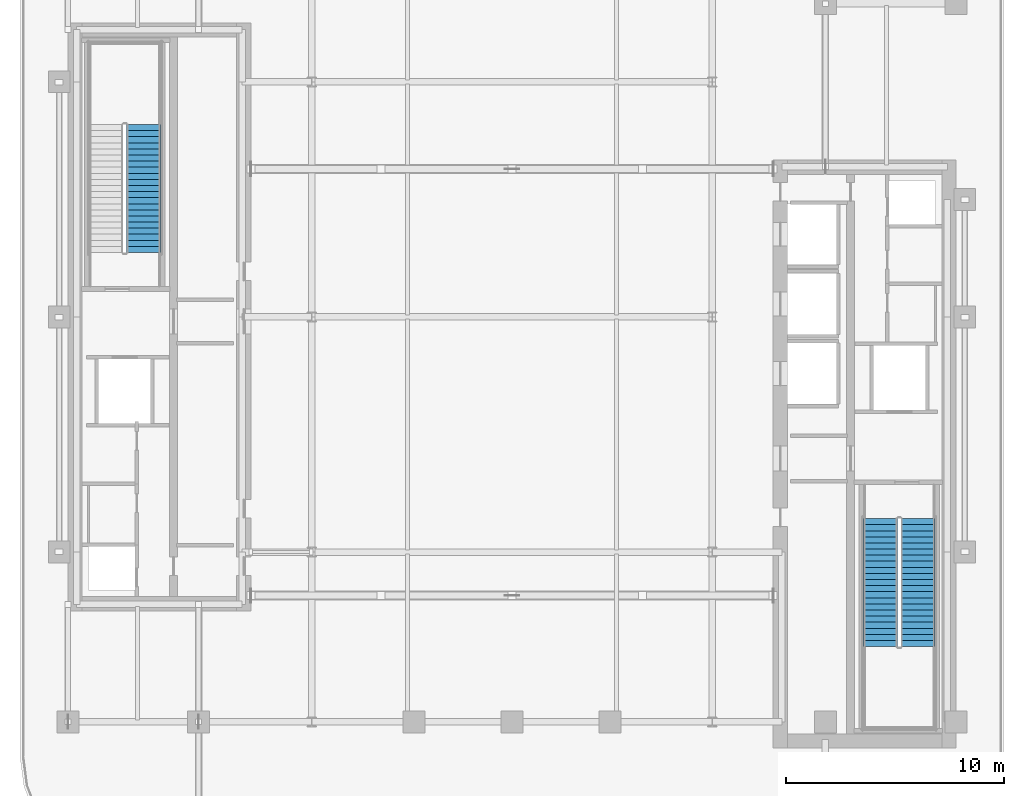
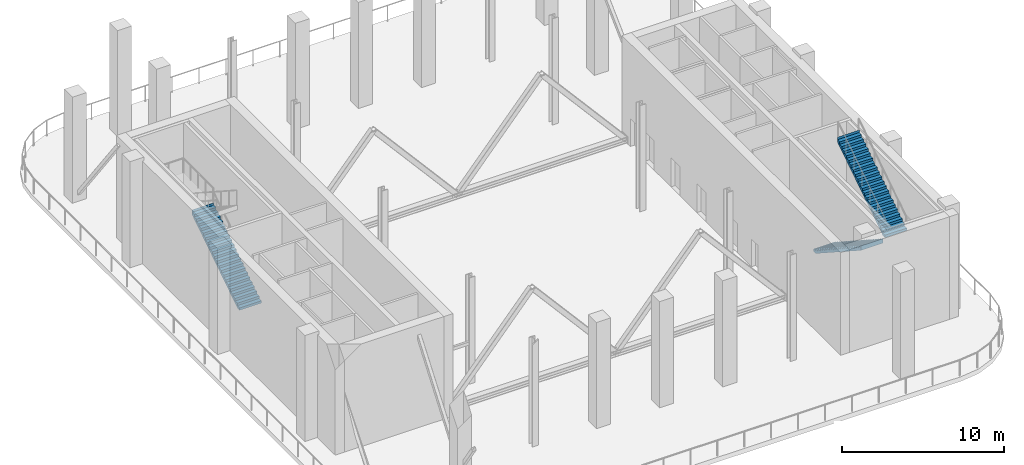
# One storey, part 6 of 12: 3 stair flights, 2 elements without a shape of their own.
"""IFC4 building model written with IfcOpenShell, lengths in metres."""

from ifc_helpers import new_model, si_unit, direction, frame, origin, place, context, subcontext, project, spatial, polyline, outline, extrude, material, layer, layer_set, type_object, element, aggregate, save


model = new_model("IFC4")

# Units and contexts
model_context = context("Model", 3, precision=1e-05, world=origin(), true_north=direction((0.0, 1.0)))
body_context = subcontext(model_context, "Body", "Model", "MODEL_VIEW")
ifc_project = project(units=[si_unit("LENGTHUNIT", "METRE"), si_unit("AREAUNIT", "SQUARE_METRE"), si_unit("VOLUMEUNIT", "CUBIC_METRE"), si_unit("PLANEANGLEUNIT", "RADIAN"), si_unit("MASSUNIT", "GRAM", prefix="KILO")], contexts=[model_context])

# Site, building, storey
site_placement = place(None, origin())
site = spatial("IfcSite", under=ifc_project, at=site_placement, CompositionType="ELEMENT")
building_placement = place(site_placement, origin())
building = spatial("IfcBuilding", under=site, at=building_placement, Name="Khairoan Windgate Tower", CompositionType="ELEMENT")
storey_placement = place(building_placement, frame((0.0, 0.0, 214.39990234375)))
storey = spatial("IfcBuildingStorey", under=building, at=storey_placement, Name="L50", CompositionType="ELEMENT", Elevation=214.39990234375)

# Stair, stair flights
ifc_material_1 = material(Name="Concrete C40/50", Category="concrete")
stair_type = type_object("IfcStairType", Name="Tower Core Dog-Leg Stair ST-T1 1560mm", PredefinedType="HALF_TURN_STAIR", material=ifc_material_1)
stair_1_placement = place(storey_placement, origin())
stair_1 = element("IfcStair", 1, at=stair_1_placement, inside=storey, type_object=stair_type, Name="L50 Stair ST1", PredefinedType="HALF_TURN_STAIR")
ifc_material_2 = material(Name="Concrete C40/50", Category="concrete")
ifc_layer = layer(ifc_material_2, 0.14990234375, Name="Concrete C40/50")
ifc_layer_set = layer_set([ifc_layer], Name="Concrete C40/50")
stair_flight_type = type_object("IfcStairFlightType", Name="Tower Core Stair Flight STF-1560", PredefinedType="STRAIGHT", material=ifc_layer_set)
stair_flight_1_placement = place(storey_placement, frame((16.929931640625, -9.260009765625, 0.0), z_axis=(0.0, 0.0, 1.0), x_axis=(0.0, -1.0, 0.0)))
stair_flight_1 = element("IfcStairFlight", 2, at=stair_flight_1_placement, type_object=stair_flight_type, Name="ST1 flight 1", NumberOfRisers=22, NumberOfTreads=21, PredefinedType="STRAIGHT", RiserHeight=0.181818182, TreadLength=0.28, context=body_context, shape_type="SweptSolid", body=[
    extrude(outline(polyline([(-0.00390625, 0.0), (-0.00390625, 0.181884765625), (0.0, 0.181884765625), (0.280029296875, 0.181884765625), (0.280029296875, 0.363525390625), (0.56005859375, 0.363525390625), (0.56005859375, 0.54541015625), (0.840087890625, 0.54541015625), (0.840087890625, 0.727294921875), (1.1201171875, 0.727294921875), (1.1201171875, 0.9091796875), (1.39990234375, 0.9091796875), (1.39990234375, 1.0908203125), (1.679931640625, 1.0908203125), (1.679931640625, 1.272705078125), (1.9599609375, 1.272705078125), (1.9599609375, 1.45458984375), (2.239990234375, 1.45458984375), (2.239990234375, 1.636474609375), (2.52001953125, 1.636474609375), (2.52001953125, 1.818115234375), (2.800048828125, 1.818115234375), (2.800048828125, 2.0), (3.080078125, 2.0), (3.080078125, 2.181884765625), (3.360107421875, 2.181884765625), (3.360107421875, 2.363525390625), (3.639892578125, 2.363525390625), (3.639892578125, 2.54541015625), (3.919921875, 2.54541015625), (3.919921875, 2.727294921875), (4.199951171875, 2.727294921875), (4.199951171875, 2.9091796875), (4.47998046875, 2.9091796875), (4.47998046875, 3.0908203125), (4.760009765625, 3.0908203125), (4.760009765625, 3.272705078125), (5.0400390625, 3.272705078125), (5.0400390625, 3.45458984375), (5.320068359375, 3.45458984375), (5.320068359375, 3.636474609375), (5.60009765625, 3.636474609375), (5.60009765625, 3.818115234375), (5.8798828125, 3.818115234375), (5.8798828125, 4.0), (5.884033203125, 4.0), (5.884033203125, 3.639404296875), (0.275146484375, 0.0), (-0.00390625, 0.0)])), frame((0.0, 0.780029296875, 0.0), z_axis=(0.0, -1.0, 0.0), x_axis=(1.0, 0.0, 0.0)), (0.0, 0.0, 1.0), 1.56005859375),
])
stair_flight_2_placement = place(storey_placement, frame((18.639892578125, -15.139892578125, 4.0), z_axis=(0.0, 0.0, 1.0), x_axis=(0.0, 1.0, 0.0)))
stair_flight_2 = element("IfcStairFlight", 3, at=stair_flight_2_placement, type_object=stair_flight_type, Name="ST1 flight 2", NumberOfRisers=22, NumberOfTreads=21, PredefinedType="STRAIGHT", RiserHeight=0.181818182, TreadLength=0.28, context=body_context, shape_type="SweptSolid", body=[
    extrude(outline(polyline([(-0.00390625, 0.0), (-0.00390625, 0.181884765625), (0.0, 0.181884765625), (0.280029296875, 0.181884765625), (0.280029296875, 0.363525390625), (0.56005859375, 0.363525390625), (0.56005859375, 0.54541015625), (0.840087890625, 0.54541015625), (0.840087890625, 0.727294921875), (1.1201171875, 0.727294921875), (1.1201171875, 0.9091796875), (1.39990234375, 0.9091796875), (1.39990234375, 1.0908203125), (1.679931640625, 1.0908203125), (1.679931640625, 1.272705078125), (1.9599609375, 1.272705078125), (1.9599609375, 1.45458984375), (2.239990234375, 1.45458984375), (2.239990234375, 1.636474609375), (2.52001953125, 1.636474609375), (2.52001953125, 1.818115234375), (2.800048828125, 1.818115234375), (2.800048828125, 2.0), (3.080078125, 2.0), (3.080078125, 2.181884765625), (3.360107421875, 2.181884765625), (3.360107421875, 2.363525390625), (3.639892578125, 2.363525390625), (3.639892578125, 2.54541015625), (3.919921875, 2.54541015625), (3.919921875, 2.727294921875), (4.199951171875, 2.727294921875), (4.199951171875, 2.9091796875), (4.47998046875, 2.9091796875), (4.47998046875, 3.0908203125), (4.760009765625, 3.0908203125), (4.760009765625, 3.272705078125), (5.0400390625, 3.272705078125), (5.0400390625, 3.45458984375), (5.320068359375, 3.45458984375), (5.320068359375, 3.636474609375), (5.60009765625, 3.636474609375), (5.60009765625, 3.818115234375), (5.8798828125, 3.818115234375), (5.8798828125, 4.0), (5.884033203125, 4.0), (5.884033203125, 3.639404296875), (0.275146484375, 0.0), (-0.00390625, 0.0)])), frame((0.0, 0.780029296875, 0.0), z_axis=(0.0, -1.0, 0.0), x_axis=(1.0, 0.0, 0.0)), (0.0, 0.0, 1.0), 1.56005859375),
])
aggregate(stair_1, [stair_flight_1, stair_flight_2])

# Stair, stair flight
stair_2_placement = place(storey_placement, origin())
stair_2 = element("IfcStair", 4, at=stair_2_placement, inside=storey, type_object=stair_type, Name="L50 Stair ST2", PredefinedType="HALF_TURN_STAIR")
stair_flight_3_placement = place(storey_placement, frame((-16.929931640625, 2.9599609375, 0.0), z_axis=(0.0, 0.0, 1.0), x_axis=(0.0, 1.0, 0.0)))
stair_flight_3 = element("IfcStairFlight", 5, at=stair_flight_3_placement, type_object=stair_flight_type, Name="ST2 flight 1", NumberOfRisers=22, NumberOfTreads=21, PredefinedType="STRAIGHT", RiserHeight=0.181818182, TreadLength=0.28, context=body_context, shape_type="SweptSolid", body=[
    extrude(outline(polyline([(-0.00390625, 0.0), (-0.00390625, 0.181884765625), (0.0, 0.181884765625), (0.280029296875, 0.181884765625), (0.280029296875, 0.363525390625), (0.56005859375, 0.363525390625), (0.56005859375, 0.54541015625), (0.840087890625, 0.54541015625), (0.840087890625, 0.727294921875), (1.1201171875, 0.727294921875), (1.1201171875, 0.9091796875), (1.39990234375, 0.9091796875), (1.39990234375, 1.0908203125), (1.679931640625, 1.0908203125), (1.679931640625, 1.272705078125), (1.9599609375, 1.272705078125), (1.9599609375, 1.45458984375), (2.239990234375, 1.45458984375), (2.239990234375, 1.636474609375), (2.52001953125, 1.636474609375), (2.52001953125, 1.818115234375), (2.800048828125, 1.818115234375), (2.800048828125, 2.0), (3.080078125, 2.0), (3.080078125, 2.181884765625), (3.360107421875, 2.181884765625), (3.360107421875, 2.363525390625), (3.639892578125, 2.363525390625), (3.639892578125, 2.54541015625), (3.919921875, 2.54541015625), (3.919921875, 2.727294921875), (4.199951171875, 2.727294921875), (4.199951171875, 2.9091796875), (4.47998046875, 2.9091796875), (4.47998046875, 3.0908203125), (4.760009765625, 3.0908203125), (4.760009765625, 3.272705078125), (5.0400390625, 3.272705078125), (5.0400390625, 3.45458984375), (5.320068359375, 3.45458984375), (5.320068359375, 3.636474609375), (5.60009765625, 3.636474609375), (5.60009765625, 3.818115234375), (5.8798828125, 3.818115234375), (5.8798828125, 4.0), (5.884033203125, 4.0), (5.884033203125, 3.639404296875), (0.275146484375, 0.0), (-0.00390625, 0.0)])), frame((0.0, 0.780029296875, 0.0), z_axis=(0.0, -1.0, 0.0), x_axis=(1.0, 0.0, 0.0)), (0.0, 0.0, 1.0), 1.56005859375),
])
aggregate(stair_2, [stair_flight_3])

save(model, "model.ifc")
